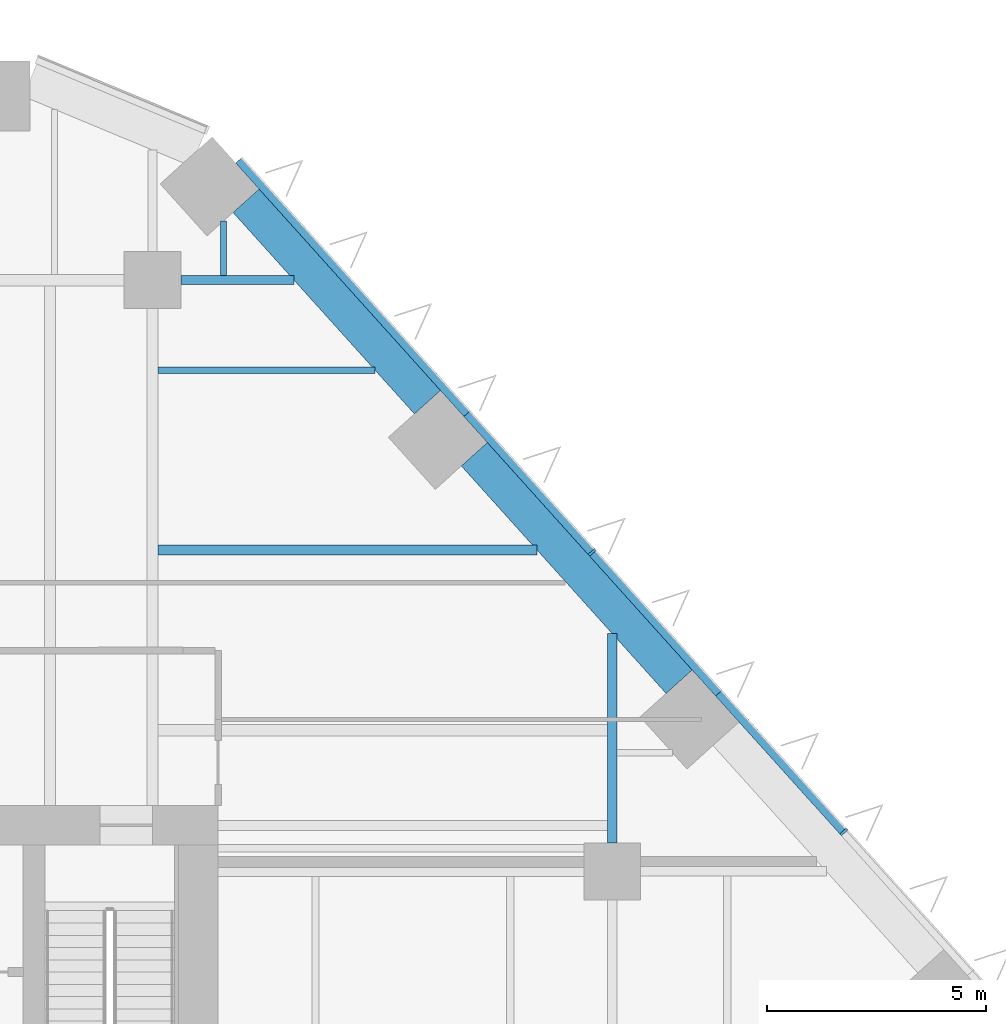
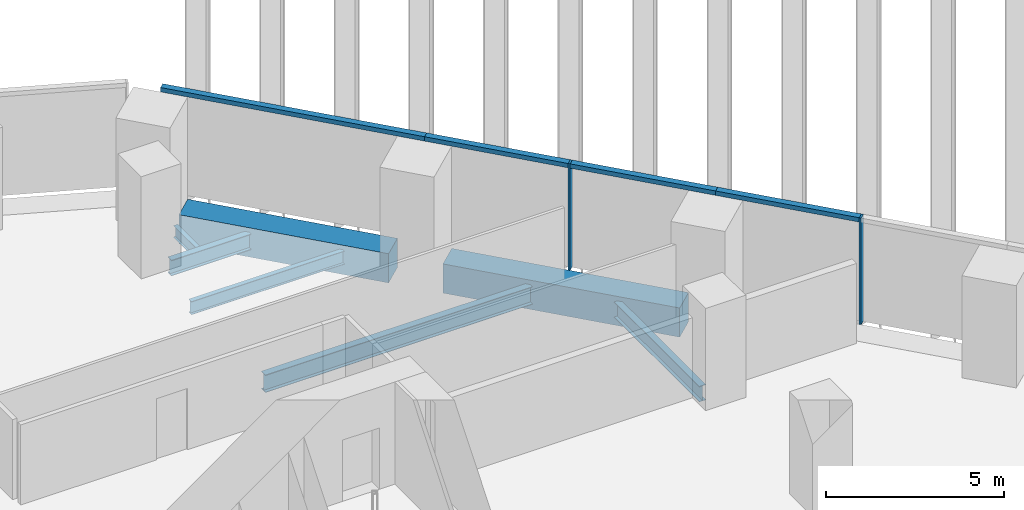
# One storey, part 10 of 24: 7 beams, 6 members, 1 element without a shape of its own.
"""IFC4 building model written with IfcOpenShell, lengths in metres."""

from ifc_helpers import new_model, si_unit, direction, frame, origin, origin_2d, place, context, subcontext, project, spatial, rectangle, i_section, extrude, material, layer, layer_set, material_profile, profile_set, type_object, element, aggregate, save


model = new_model("IFC4")

# Units and contexts
model_context = context("Model", 3, precision=1e-05, world=origin(), true_north=direction((0.0, 1.0)))
body_context = subcontext(model_context, "Body", "Model", "MODEL_VIEW")
ifc_project = project(units=[si_unit("LENGTHUNIT", "METRE"), si_unit("AREAUNIT", "SQUARE_METRE"), si_unit("VOLUMEUNIT", "CUBIC_METRE"), si_unit("PLANEANGLEUNIT", "RADIAN"), si_unit("MASSUNIT", "GRAM", prefix="KILO")], contexts=[model_context])

# Site, building, storey
site_placement = place(None, origin())
site = spatial("IfcSite", under=ifc_project, at=site_placement, CompositionType="ELEMENT")
building_placement = place(site_placement, origin())
building = spatial("IfcBuilding", under=site, at=building_placement, Name="Isthmus Gate Tower", CompositionType="ELEMENT")
storey_placement = place(building_placement, frame((0.0, 0.0, 80.64990234375)))
storey = spatial("IfcBuildingStorey", under=building, at=storey_placement, Name="L18", CompositionType="ELEMENT", Elevation=80.64990234375)

# Curtain wall, members
ifc_material_1 = material(Name="Aluminium, pale champagne anodised", Category="aluminium")
ifc_layer = layer(ifc_material_1, 0.199951171875)
ifc_layer_set = layer_set([ifc_layer], Name="CW-1 UNITISED CURTAIN WALL 200 DEEP")
curtain_wall_type = type_object("IfcCurtainWallType", Name="CW-1 UNITISED CURTAIN WALL 200 DEEP", PredefinedType="NOTDEFINED", material=ifc_layer_set)
curtain_wall_placement = place(storey_placement, origin())
curtain_wall = element("IfcCurtainWall", 1, at=curtain_wall_placement, inside=storey, type_object=curtain_wall_type, Name="CW-1 NE L18", PredefinedType="NOTDEFINED")
ifc_material_2 = material(Name="Aluminium, pale champagne anodised", Category="aluminium")
ifc_material_profile_1 = material_profile(ifc_material_2, rectangle(XDim=0.06005859375, YDim=0.199951171875, at=origin_2d()), Name="60x200")
ifc_profile_set_1 = profile_set([ifc_material_profile_1], Name="Aluminium, pale champagne anodised")
member_type_1 = type_object("IfcMemberType", Name="CW-1 MULLION 60 X 200", PredefinedType="MULLION", material=ifc_profile_set_1)
member_1_placement = place(storey_placement, frame((29.287841796875, 14.400146484375, 0.0), z_axis=(0.0, 0.0, 1.0), x_axis=(-0.669130606359, 0.743144825477, 0.0)))
member_1 = element("IfcMember", 2, at=member_1_placement, type_object=member_type_1, Name="CW-1 mullion", PredefinedType="MULLION", context=body_context, shape_type="SweptSolid", body=[
    extrude(rectangle(XDim=0.06005859375, YDim=0.199951171875, at=origin_2d()), origin(), (0.0, 0.0, 1.0), 3.650146484375),
])
member_2_placement = place(storey_placement, frame((23.54052734375, 20.783447265625, 0.0), z_axis=(0.0, 0.0, 1.0), x_axis=(-0.669130606359, 0.743144825477, 0.0)))
member_2 = element("IfcMember", 3, at=member_2_placement, type_object=member_type_1, Name="CW-1 mullion", PredefinedType="MULLION", context=body_context, shape_type="SweptSolid", body=[
    extrude(rectangle(XDim=0.06005859375, YDim=0.199951171875, at=origin_2d()), origin(), (0.0, 0.0, 1.0), 3.650146484375),
])
ifc_material_3 = material(Name="Aluminium, pale champagne anodised", Category="aluminium")
ifc_material_profile_2 = material_profile(ifc_material_3, rectangle(XDim=0.199951171875, YDim=0.14990234375, at=origin_2d()), Name="200x150")
ifc_profile_set_2 = profile_set([ifc_material_profile_2], Name="Aluminium, pale champagne anodised")
member_type_2 = type_object("IfcMemberType", Name="CW-1 TRANSOM 200 X 150", PredefinedType="USERDEFINED", material=ifc_profile_set_2)
member_3_placement = place(storey_placement, frame((29.267822265625, 14.422607421875, 3.5751953125), z_axis=(-0.669123979474, 0.743150792298, 0.0), x_axis=(-0.743150792298, -0.669123979474, 0.0)))
member_3 = element("IfcMember", 4, at=member_3_placement, type_object=member_type_2, Name="CW-1 transom", ObjectType="TRANSOM", PredefinedType="USERDEFINED", context=body_context, shape_type="SweptSolid", body=[
    extrude(rectangle(XDim=0.199951171875, YDim=0.14990234375, at=origin_2d()), origin(), (0.0, 0.0, 1.0), 4.234619140625),
])
member_4_placement = place(storey_placement, frame((26.434326171875, 17.569580078125, 3.5751953125), z_axis=(-0.669159437096, 0.743118865153, 0.0), x_axis=(-0.743118865153, -0.669159437096, 0.0)))
member_4 = element("IfcMember", 5, at=member_4_placement, type_object=member_type_2, Name="CW-1 transom", ObjectType="TRANSOM", PredefinedType="USERDEFINED", context=body_context, shape_type="SweptSolid", body=[
    extrude(rectangle(XDim=0.199951171875, YDim=0.14990234375, at=origin_2d()), origin(), (0.0, 0.0, 1.0), 4.294677734375),
])
member_5_placement = place(storey_placement, frame((23.520263671875, 20.8056640625, 3.5751953125), z_axis=(-0.669123979474, 0.743150792298, 0.0), x_axis=(-0.743150792298, -0.669123979474, 0.0)))
member_5 = element("IfcMember", 6, at=member_5_placement, type_object=member_type_2, Name="CW-1 transom", ObjectType="TRANSOM", PredefinedType="USERDEFINED", context=body_context, shape_type="SweptSolid", body=[
    extrude(rectangle(XDim=0.199951171875, YDim=0.14990234375, at=origin_2d()), origin(), (0.0, 0.0, 1.0), 4.234619140625),
])
member_6_placement = place(storey_placement, frame((20.686767578125, 23.95263671875, 3.5751953125), z_axis=(-0.669137878224, 0.743138277797, 0.0), x_axis=(-0.743138277797, -0.669137878224, 0.0)))
member_6 = element("IfcMember", 7, at=member_6_placement, type_object=member_type_2, Name="CW-1 transom", ObjectType="TRANSOM", PredefinedType="USERDEFINED", context=body_context, shape_type="SweptSolid", body=[
    extrude(rectangle(XDim=0.199951171875, YDim=0.14990234375, at=origin_2d()), origin(), (0.0, 0.0, 1.0), 7.789306640625),
])
aggregate(curtain_wall, [member_1, member_3, member_4, member_2, member_5, member_6])

# Beams
ifc_material_4 = material(Name="Concrete f'c 70 MPa", Category="concrete")
ifc_material_profile_3 = material_profile(ifc_material_4, rectangle(XDim=0.800048828125, YDim=1.0, at=origin_2d()), Name="RC 800X1000")
ifc_profile_set_3 = profile_set([ifc_material_profile_3], Name="Concrete f'c 70 MPa")
beam_type_1 = type_object("IfcBeamType", Name="RC SPANDREL 800 X 1000", PredefinedType="SPANDREL", material=ifc_profile_set_3)
beam_1_placement = place(storey_placement, frame((15.638427734375, 28.812255859375, -0.5), z_axis=(0.669139054219, -0.743137218903, 0.0), x_axis=(0.743137218903, 0.669139054219, 0.0)))
element("IfcBeam", 8, at=beam_1_placement, inside=storey, type_object=beam_type_1, Name="str-spandrel-L18-01", PredefinedType="SPANDREL", context=body_context, shape_type="SweptSolid", body=[
    extrude(rectangle(XDim=0.800048828125, YDim=1.0, at=origin_2d()), origin(), (0.0, 0.0, 1.0), 6.189453125),
])
beam_2_placement = place(storey_placement, frame((20.8505859375, 23.0234375, -0.5), z_axis=(0.669128753615, -0.743146493691, 0.0), x_axis=(0.743146493691, 0.669128753615, 0.0)))
element("IfcBeam", 9, at=beam_2_placement, inside=storey, type_object=beam_type_1, Name="str-spandrel-L18-02", PredefinedType="SPANDREL", context=body_context, shape_type="SweptSolid", body=[
    extrude(rectangle(XDim=0.800048828125, YDim=1.0, at=origin_2d()), origin(), (0.0, 0.0, 1.0), 6.9892578125),
])
ifc_material_5 = material(Name="Structural steel ASTM A992 Gr 50", Category="steel")
ifc_material_profile_4 = material_profile(ifc_material_5, i_section(OverallWidth=0.1396484375, OverallDepth=0.4033203125, WebThickness=0.00634765625, FlangeThickness=0.010986328125, at=origin_2d()), Name="W16X31")
ifc_profile_set_4 = profile_set([ifc_material_profile_4], Name="Structural steel ASTM A992 Gr 50")
beam_type_2 = type_object("IfcBeamType", Name="STEEL FLOOR BEAM W16X31", PredefinedType="JOIST", material=ifc_profile_set_4)
beam_3_placement = place(storey_placement, frame((15.12109375, 27.104736328125, -0.3515625), z_axis=(0.0, 1.0, 0.0), x_axis=(-1.0, 0.0, 0.0)))
element("IfcBeam", 10, at=beam_3_placement, inside=storey, type_object=beam_type_2, Name="str-beam-L18-25-00", PredefinedType="JOIST", context=body_context, shape_type="SweptSolid", body=[
    extrude(i_section(OverallWidth=0.1396484375, OverallDepth=0.4033203125, WebThickness=0.00634765625, FlangeThickness=0.010986328125, at=origin_2d()), origin(), (0.0, 0.0, 1.0), 1.24169921875),
])
ifc_material_6 = material(Name="Structural steel ASTM A992 Gr 50", Category="steel")
ifc_material_profile_5 = material_profile(ifc_material_6, i_section(OverallWidth=0.15234375, OverallDepth=0.45068359375, WebThickness=0.0078125, FlangeThickness=0.010986328125, at=origin_2d()), Name="W18X35")
ifc_profile_set_5 = profile_set([ifc_material_profile_5], Name="Structural steel ASTM A992 Gr 50")
beam_type_3 = type_object("IfcBeamType", Name="STEEL FLOOR BEAM W18X35", PredefinedType="JOIST", material=ifc_profile_set_5)
beam_4_placement = place(storey_placement, frame((13.626953125, 24.944091796875, -0.375244140625), z_axis=(1.0, 0.0, 0.0), x_axis=(0.0, 1.0, 0.0)))
element("IfcBeam", 11, at=beam_4_placement, inside=storey, type_object=beam_type_3, Name="str-beam-L18-26-02", PredefinedType="JOIST", context=body_context, shape_type="SweptSolid", body=[
    extrude(i_section(OverallWidth=0.15234375, OverallDepth=0.45068359375, WebThickness=0.0078125, FlangeThickness=0.010986328125, at=origin_2d()), origin(), (0.0, 0.0, 1.0), 4.9560546875),
])
ifc_material_7 = material(Name="Structural steel ASTM A992 Gr 50", Category="steel")
ifc_material_profile_6 = material_profile(ifc_material_7, i_section(OverallWidth=0.228515625, OverallDepth=0.603271484375, WebThickness=0.010986328125, FlangeThickness=0.014404296875, at=origin_2d()), Name="W24X68")
ifc_profile_set_6 = profile_set([ifc_material_profile_6], Name="Structural steel ASTM A992 Gr 50")
beam_type_4 = type_object("IfcBeamType", Name="STEEL FLOOR BEAM W24X68", PredefinedType="JOIST", material=ifc_profile_set_6)
beam_5_placement = place(storey_placement, frame((13.626953125, 20.83203125, -0.451416015625), z_axis=(1.0, 0.0, 0.0), x_axis=(0.0, 1.0, 0.0)))
element("IfcBeam", 12, at=beam_5_placement, inside=storey, type_object=beam_type_4, Name="str-beam-L18-26-01", PredefinedType="JOIST", context=body_context, shape_type="SweptSolid", body=[
    extrude(i_section(OverallWidth=0.228515625, OverallDepth=0.603271484375, WebThickness=0.010986328125, FlangeThickness=0.014404296875, at=origin_2d()), origin(), (0.0, 0.0, 1.0), 8.658447265625),
])
ifc_material_8 = material(Name="Structural steel ASTM A992 Gr 50", Category="steel")
ifc_material_profile_7 = material_profile(ifc_material_8, i_section(OverallWidth=0.20947265625, OverallDepth=0.533447265625, WebThickness=0.009521484375, FlangeThickness=0.015869140625, at=origin_2d()), Name="W21X62")
ifc_profile_set_7 = profile_set([ifc_material_profile_7], Name="Structural steel ASTM A992 Gr 50")
beam_type_5 = type_object("IfcBeamType", Name="STEEL GIRDER W21X62", PredefinedType="BEAM", material=ifc_profile_set_7)
beam_6_placement = place(storey_placement, frame((14.14990234375, 27.0, -0.41650390625), z_axis=(1.0, 0.0, 0.0), x_axis=(0.0, 1.0, 0.0)))
element("IfcBeam", 13, at=beam_6_placement, inside=storey, type_object=beam_type_5, Name="str-girder-L18-20", PredefinedType="BEAM", context=body_context, shape_type="SweptSolid", body=[
    extrude(i_section(OverallWidth=0.20947265625, OverallDepth=0.533447265625, WebThickness=0.009521484375, FlangeThickness=0.015869140625, at=origin_2d()), origin(), (0.0, 0.0, 1.0), 2.58203125),
])
beam_7_placement = place(storey_placement, frame((24.0, 14.14990234375, -0.41650390625), z_axis=(0.0, 1.0, 0.0), x_axis=(-1.0, 0.0, 0.0)))
element("IfcBeam", 14, at=beam_7_placement, inside=storey, type_object=beam_type_5, Name="str-girder-L18-38", PredefinedType="BEAM", context=body_context, shape_type="SweptSolid", body=[
    extrude(i_section(OverallWidth=0.20947265625, OverallDepth=0.533447265625, WebThickness=0.009521484375, FlangeThickness=0.015869140625, at=origin_2d()), origin(), (0.0, 0.0, 1.0), 4.778076171875),
])

save(model, "model.ifc")
